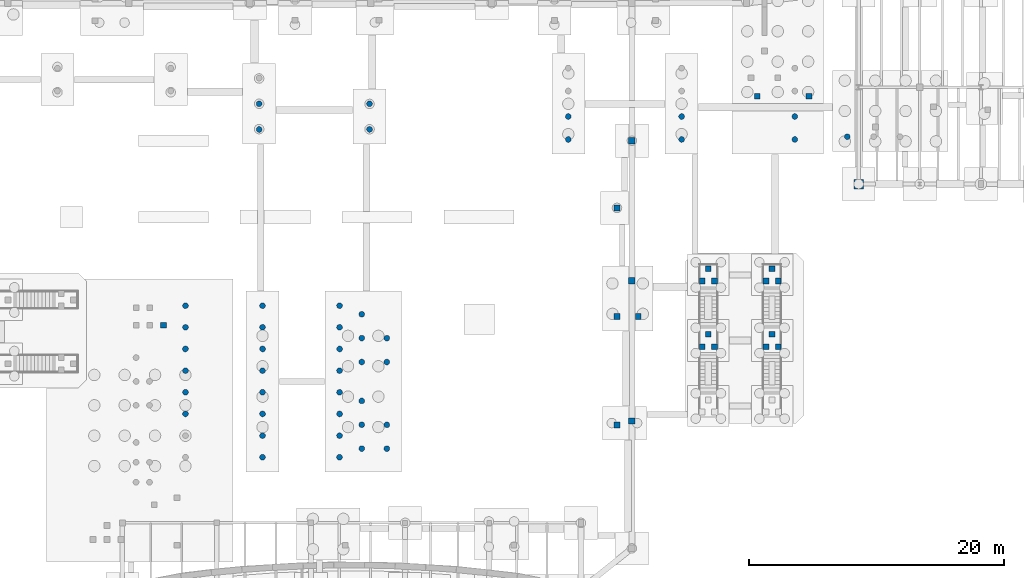
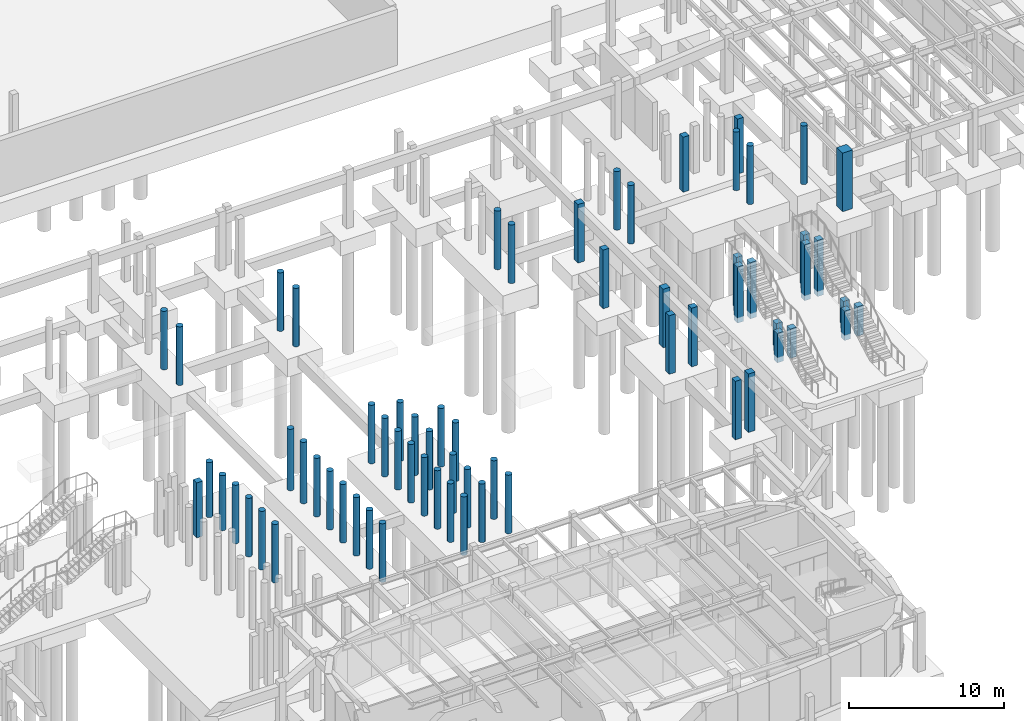
# One storey, part 10 of 45: 66 columns.
"""IFC4 building model written with IfcOpenShell, lengths in metres."""

from ifc_helpers import new_model, si_unit, direction, frame, origin, origin_2d, place, context, subcontext, project, spatial, rectangle, circle, extrude, material, material_profile, profile_set, type_object, element, save


model = new_model("IFC4")

# Units and contexts
model_context = context("Model", 3, precision=1e-05, world=origin(), true_north=direction((0.0, 1.0)))
body_context = subcontext(model_context, "Body", "Model", "MODEL_VIEW")
ifc_project = project(units=[si_unit("LENGTHUNIT", "METRE"), si_unit("AREAUNIT", "SQUARE_METRE"), si_unit("VOLUMEUNIT", "CUBIC_METRE"), si_unit("PLANEANGLEUNIT", "RADIAN"), si_unit("MASSUNIT", "GRAM", prefix="KILO")], contexts=[model_context])

# Site, building, storey
site_placement = place(None, origin())
site = spatial("IfcSite", under=ifc_project, at=site_placement, CompositionType="ELEMENT")
building_placement = place(site_placement, origin())
building = spatial("IfcBuilding", under=site, at=building_placement, Name="Corveleigh Park Community Centre", CompositionType="ELEMENT")
storey_placement = place(building_placement, frame((0.0, 0.0, -4.199951171875)))
storey = spatial("IfcBuildingStorey", under=building, at=storey_placement, Name="B1", CompositionType="ELEMENT", Elevation=-4.199951171875)

# Columns
ifc_material = material(Name="Concrete C40/50", Category="concrete")
ifc_material_profile_1 = material_profile(ifc_material, rectangle(XDim=0.449951171875, YDim=0.449951171875, at=origin_2d()), Name="RC-450x450", Category="concrete")
ifc_profile_set_1 = profile_set([ifc_material_profile_1], Name="Concrete C40/50")
column_type_1 = type_object("IfcColumnType", Name="COL-RC-450x450", PredefinedType="COLUMN", material=ifc_profile_set_1)
for number, where, z_axis, x_axis, name in (
    (1, (118.47998046875, 45.830078125, -0.4150390625), (0.0, 0.0, 1.0), (1.0, 0.0, 0.0), "Promenade ST11 landing pier 40"),
    (2, (117.52001953125, 45.830078125, -0.4150390625), (0.0, 0.0, 1.0), (1.0, 0.0, 0.0), "Promenade ST11 landing pier 41"),
    (3, (118.0, 46.81005859375, -0.4150390625), (0.0, 0.0, 1.0), (1.0, 0.0, 0.0), "Promenade ST11 landing pier 42"),
):
    element("IfcColumn", number, at=place(storey_placement, frame(where, z_axis=z_axis, x_axis=x_axis)), inside=storey, type_object=column_type_1, Name=name, PredefinedType="COLUMN", context=body_context, shape_type="SweptSolid", body=[
        extrude(rectangle(XDim=0.449951171875, YDim=0.449951171875, at=origin_2d()), origin(), (0.0, 0.0, 1.0), 2.319091796875),
    ])
for number, where, z_axis, x_axis, name in (
    (4, (118.47998046875, 50.989990234375, -0.4150390625), (0.0, 0.0, 1.0), (1.0, 0.0, 0.0), "Promenade ST11 landing pier 43"),
    (5, (117.52001953125, 50.989990234375, -0.4150390625), (0.0, 0.0, 1.0), (1.0, 0.0, 0.0), "Promenade ST11 landing pier 44"),
    (6, (118.0, 51.93994140625, -0.4150390625), (0.0, 0.0, 1.0), (1.0, 0.0, 0.0), "Promenade ST11 landing pier 45"),
):
    element("IfcColumn", number, at=place(storey_placement, frame(where, z_axis=z_axis, x_axis=x_axis)), inside=storey, type_object=column_type_1, Name=name, PredefinedType="COLUMN", context=body_context, shape_type="SweptSolid", body=[
        extrude(rectangle(XDim=0.449951171875, YDim=0.449951171875, at=origin_2d()), origin(), (0.0, 0.0, 1.0), 4.4189453125),
    ])
for number, where, z_axis, x_axis, name in (
    (7, (123.47998046875, 45.830078125, -0.4150390625), (0.0, 0.0, 1.0), (1.0, 0.0, 0.0), "Promenade ST12 landing pier 49"),
    (8, (122.52001953125, 45.830078125, -0.4150390625), (0.0, 0.0, 1.0), (1.0, 0.0, 0.0), "Promenade ST12 landing pier 50"),
    (9, (123.0, 46.81005859375, -0.4150390625), (0.0, 0.0, 1.0), (1.0, 0.0, 0.0), "Promenade ST12 landing pier 51"),
):
    element("IfcColumn", number, at=place(storey_placement, frame(where, z_axis=z_axis, x_axis=x_axis)), inside=storey, type_object=column_type_1, Name=name, PredefinedType="COLUMN", context=body_context, shape_type="SweptSolid", body=[
        extrude(rectangle(XDim=0.449951171875, YDim=0.449951171875, at=origin_2d()), origin(), (0.0, 0.0, 1.0), 2.319091796875),
    ])
for number, where, z_axis, x_axis, name in (
    (10, (123.47998046875, 50.989990234375, -0.4150390625), (0.0, 0.0, 1.0), (1.0, 0.0, 0.0), "Promenade ST12 landing pier 52"),
    (11, (122.52001953125, 50.989990234375, -0.4150390625), (0.0, 0.0, 1.0), (1.0, 0.0, 0.0), "Promenade ST12 landing pier 53"),
    (12, (123.0, 51.93994140625, -0.4150390625), (0.0, 0.0, 1.0), (1.0, 0.0, 0.0), "Promenade ST12 landing pier 54"),
):
    element("IfcColumn", number, at=place(storey_placement, frame(where, z_axis=z_axis, x_axis=x_axis)), inside=storey, type_object=column_type_1, Name=name, PredefinedType="COLUMN", context=body_context, shape_type="SweptSolid", body=[
        extrude(rectangle(XDim=0.449951171875, YDim=0.449951171875, at=origin_2d()), origin(), (0.0, 0.0, 1.0), 4.4189453125),
    ])
for number, where, z_axis, x_axis, name in (
    (13, (75.220947265625, 47.513916015625, -0.4150390625), (0.0, 0.0, 1.0), (1.0, 0.0, 0.0), "External deck support pier 165 B1"),
    (14, (121.8359375, 65.493896484375, -0.4150390625), (0.0, 0.0, 1.0), (1.0, 0.0, 0.0), "External deck support pier 171 B1"),
    (15, (125.89599609375, 65.493896484375, -0.4150390625), (0.0, 0.0, 1.0), (1.0, 0.0, 0.0), "External deck support pier 174 B1"),
):
    element("IfcColumn", number, at=place(storey_placement, frame(where, z_axis=z_axis, x_axis=x_axis)), inside=storey, type_object=column_type_1, Name=name, PredefinedType="COLUMN", context=body_context, shape_type="SweptSolid", body=[
        extrude(rectangle(XDim=0.449951171875, YDim=0.449951171875, at=origin_2d()), origin(), (0.0, 0.0, 1.0), 4.3330078125),
    ])
for number, where, z_axis, x_axis, name in (
    (16, (110.827880859375, 39.674072265625, -0.4150390625), (0.0, 0.0, 1.0), (1.0, 0.0, 0.0), "External deck support pier 234 B1"),
    (17, (110.827880859375, 48.199951171875, -0.4150390625), (0.0, 0.0, 1.0), (1.0, 0.0, 0.0), "External deck support pier 235 B1"),
    (18, (110.827880859375, 56.72607421875, -0.4150390625), (0.0, 0.0, 1.0), (1.0, 0.0, 0.0), "External deck support pier 236 B1"),
    (19, (112.5, 48.199951171875, -0.4150390625), (0.0, 0.0, 1.0), (1.0, 0.0, 0.0), "External deck support pier 237 B1"),
):
    element("IfcColumn", number, at=place(storey_placement, frame(where, z_axis=z_axis, x_axis=x_axis)), inside=storey, type_object=column_type_1, Name=name, PredefinedType="COLUMN", context=body_context, shape_type="SweptSolid", body=[
        extrude(rectangle(XDim=0.449951171875, YDim=0.449951171875, at=origin_2d()), origin(), (0.0, 0.0, 1.0), 4.614990234375),
    ])
ifc_material_profile_2 = material_profile(ifc_material, rectangle(XDim=0.5, YDim=0.5, at=origin_2d()), Name="RC-500x500", Category="concrete")
ifc_profile_set_2 = profile_set([ifc_material_profile_2], Name="Concrete C40/50")
column_type_2 = type_object("IfcColumnType", Name="COL-RC-500x500", PredefinedType="COLUMN", material=ifc_profile_set_2)
for number, where, z_axis, x_axis, name in (
    (20, (112.0, 62.0, -0.4150390625), (0.0, 0.0, 1.0), (1.0, 0.0, 0.0), "Column V5-E1 B1"),
    (21, (112.0, 51.0, -0.4150390625), (0.0, 0.0, 1.0), (1.0, 0.0, 0.0), "Column V5-E2 B1"),
    (22, (112.0, 40.0, -0.4150390625), (0.0, 0.0, 1.0), (1.0, 0.0, 0.0), "Column V5-E3 B1"),
):
    element("IfcColumn", number, at=place(storey_placement, frame(where, z_axis=z_axis, x_axis=x_axis)), inside=storey, type_object=column_type_2, Name=name, PredefinedType="COLUMN", context=body_context, shape_type="SweptSolid", body=[
        extrude(rectangle(XDim=0.5, YDim=0.5, at=origin_2d()), origin(), (0.0, 0.0, 1.0), 4.614990234375),
    ])
ifc_material_profile_3 = material_profile(ifc_material, rectangle(XDim=0.75, YDim=0.75, at=origin_2d()), Name="RC-750x750", Category="concrete")
ifc_profile_set_3 = profile_set([ifc_material_profile_3], Name="Concrete C40/50")
column_type_3 = type_object("IfcColumnType", Name="COL-RC-750x750", PredefinedType="COLUMN", material=ifc_profile_set_3)
column_placement = place(storey_placement, frame((129.800048828125, 58.60009765625, -0.4150390625), z_axis=(0.0, 0.0, 1.0), x_axis=(1.0, 0.0, 0.0)))
element("IfcColumn", 23, at=column_placement, inside=storey, type_object=column_type_3, Name="Column V4-X0Y0 B1", PredefinedType="COLUMN", context=body_context, shape_type="SweptSolid", body=[
    extrude(rectangle(XDim=0.75, YDim=0.75, at=origin_2d()), origin(), (0.0, 0.0, 1.0), 4.614990234375),
])
ifc_material_profile_4 = material_profile(ifc_material, circle(Radius=0.22509765625, at=origin_2d()), Name="RC-450D", Category="concrete")
ifc_profile_set_4 = profile_set([ifc_material_profile_4], Name="Concrete C40/50")
column_type_4 = type_object("IfcColumnType", Name="COL-RCE-450D", PredefinedType="COLUMN", material=ifc_profile_set_4)
for number, where, z_axis, x_axis, name in (
    (24, (76.951904296875, 47.35009765625, -0.4150390625), (0.0, 0.0, 1.0), (1.0, 0.0, 0.0), "External deck support pier 72 B1"),
    (25, (76.951904296875, 49.050048828125, -0.4150390625), (0.0, 0.0, 1.0), (1.0, 0.0, 0.0), "External deck support pier 73 B1"),
):
    element("IfcColumn", number, at=place(storey_placement, frame(where, z_axis=z_axis, x_axis=x_axis)), inside=storey, type_object=column_type_4, Name=name, PredefinedType="COLUMN", context=body_context, shape_type="SweptSolid", body=[
        extrude(circle(Radius=0.22509765625, at=origin_2d()), origin(), (0.0, 0.0, 1.0), 4.3349609375),
    ])
for number, where, z_axis, x_axis, name in (
    (26, (83.0, 47.35009765625, -0.4150390625), (0.0, 0.0, 1.0), (1.0, 0.0, 0.0), "External deck support pier 74 B1"),
    (27, (83.0, 49.050048828125, -0.4150390625), (0.0, 0.0, 1.0), (1.0, 0.0, 0.0), "External deck support pier 75 B1"),
):
    element("IfcColumn", number, at=place(storey_placement, frame(where, z_axis=z_axis, x_axis=x_axis)), inside=storey, type_object=column_type_4, Name=name, PredefinedType="COLUMN", context=body_context, shape_type="SweptSolid", body=[
        extrude(circle(Radius=0.22509765625, at=origin_2d()), origin(), (0.0, 0.0, 1.0), 4.839111328125),
    ])
for number, where, z_axis, x_axis, name in (
    (28, (89.048095703125, 47.35009765625, -0.4150390625), (0.0, 0.0, 1.0), (1.0, 0.0, 0.0), "External deck support pier 76 B1"),
    (29, (89.048095703125, 49.050048828125, -0.4150390625), (0.0, 0.0, 1.0), (1.0, 0.0, 0.0), "External deck support pier 77 B1"),
    (30, (89.048095703125, 43.949951171875, -0.4150390625), (0.0, 0.0, 1.0), (1.0, 0.0, 0.0), "External deck support pier 78 B1"),
    (31, (89.048095703125, 45.64990234375, -0.4150390625), (0.0, 0.0, 1.0), (1.0, 0.0, 0.0), "External deck support pier 79 B1"),
    (32, (83.0, 43.949951171875, -0.4150390625), (0.0, 0.0, 1.0), (1.0, 0.0, 0.0), "External deck support pier 80 B1"),
    (33, (83.0, 45.64990234375, -0.4150390625), (0.0, 0.0, 1.0), (1.0, 0.0, 0.0), "External deck support pier 81 B1"),
    (34, (76.951904296875, 43.949951171875, -0.4150390625), (0.0, 0.0, 1.0), (1.0, 0.0, 0.0), "External deck support pier 82 B1"),
    (35, (76.951904296875, 45.64990234375, -0.4150390625), (0.0, 0.0, 1.0), (1.0, 0.0, 0.0), "External deck support pier 83 B1"),
    (36, (76.951904296875, 40.550048828125, -0.4150390625), (0.0, 0.0, 1.0), (1.0, 0.0, 0.0), "External deck support pier 84 B1"),
    (37, (76.951904296875, 42.25, -0.4150390625), (0.0, 0.0, 1.0), (1.0, 0.0, 0.0), "External deck support pier 85 B1"),
    (38, (83.0, 40.550048828125, -0.4150390625), (0.0, 0.0, 1.0), (1.0, 0.0, 0.0), "External deck support pier 86 B1"),
    (39, (83.0, 42.25, -0.4150390625), (0.0, 0.0, 1.0), (1.0, 0.0, 0.0), "External deck support pier 87 B1"),
    (40, (89.048095703125, 40.550048828125, -0.4150390625), (0.0, 0.0, 1.0), (1.0, 0.0, 0.0), "External deck support pier 88 B1"),
    (41, (89.048095703125, 42.25, -0.4150390625), (0.0, 0.0, 1.0), (1.0, 0.0, 0.0), "External deck support pier 89 B1"),
    (42, (89.048095703125, 37.14990234375, -0.4150390625), (0.0, 0.0, 1.0), (1.0, 0.0, 0.0), "External deck support pier 90 B1"),
    (43, (89.048095703125, 38.85009765625, -0.4150390625), (0.0, 0.0, 1.0), (1.0, 0.0, 0.0), "External deck support pier 91 B1"),
    (44, (83.0, 37.14990234375, -0.4150390625), (0.0, 0.0, 1.0), (1.0, 0.0, 0.0), "External deck support pier 92 B1"),
    (45, (83.0, 38.85009765625, -0.4150390625), (0.0, 0.0, 1.0), (1.0, 0.0, 0.0), "External deck support pier 93 B1"),
    (46, (107.008056640625, 62.10009765625, -0.4150390625), (0.0, 0.0, 1.0), (1.0, 0.0, 0.0), "External deck support pier 108 B1"),
    (47, (107.008056640625, 63.89990234375, -0.4150390625), (0.0, 0.0, 1.0), (1.0, 0.0, 0.0), "External deck support pier 109 B1"),
    (48, (115.89990234375, 62.10009765625, -0.4150390625), (0.0, 0.0, 1.0), (1.0, 0.0, 0.0), "External deck support pier 110 B1"),
    (49, (115.89990234375, 63.89990234375, -0.4150390625), (0.0, 0.0, 1.0), (1.0, 0.0, 0.0), "External deck support pier 111 B1"),
    (50, (124.7919921875, 62.10009765625, -0.4150390625), (0.0, 0.0, 1.0), (1.0, 0.0, 0.0), "External deck support pier 112 B1"),
    (51, (124.7919921875, 63.89990234375, -0.4150390625), (0.0, 0.0, 1.0), (1.0, 0.0, 0.0), "External deck support pier 113 B1"),
    (52, (90.791015625, 44.6240234375, -0.4150390625), (0.0, 0.0, 1.0), (1.0, 0.0, 0.0), "External deck support pier 185 B1"),
    (53, (90.791015625, 46.5, -0.4150390625), (0.0, 0.0, 1.0), (1.0, 0.0, 0.0), "External deck support pier 186 B1"),
    (54, (90.791015625, 48.3759765625, -0.4150390625), (0.0, 0.0, 1.0), (1.0, 0.0, 0.0), "External deck support pier 187 B1"),
    (55, (92.758056640625, 44.6240234375, -0.4150390625), (0.0, 0.0, 1.0), (1.0, 0.0, 0.0), "External deck support pier 188 B1"),
    (56, (92.758056640625, 46.5, -0.4150390625), (0.0, 0.0, 1.0), (1.0, 0.0, 0.0), "External deck support pier 189 B1"),
    (57, (90.791015625, 37.823974609375, -0.4150390625), (0.0, 0.0, 1.0), (1.0, 0.0, 0.0), "External deck support pier 195 B1"),
    (58, (90.791015625, 39.699951171875, -0.4150390625), (0.0, 0.0, 1.0), (1.0, 0.0, 0.0), "External deck support pier 196 B1"),
    (59, (90.791015625, 41.575927734375, -0.4150390625), (0.0, 0.0, 1.0), (1.0, 0.0, 0.0), "External deck support pier 197 B1"),
    (60, (92.758056640625, 37.823974609375, -0.4150390625), (0.0, 0.0, 1.0), (1.0, 0.0, 0.0), "External deck support pier 198 B1"),
    (61, (92.758056640625, 39.699951171875, -0.4150390625), (0.0, 0.0, 1.0), (1.0, 0.0, 0.0), "External deck support pier 199 B1"),
    (62, (82.73388671875, 62.884033203125, -0.4150390625), (0.0, 0.0, 1.0), (1.0, 0.0, 0.0), "External deck support pier 242 B1"),
    (63, (82.73388671875, 64.89990234375, -0.4150390625), (0.0, 0.0, 1.0), (1.0, 0.0, 0.0), "External deck support pier 243 B1"),
    (64, (91.39990234375, 62.884033203125, -0.4150390625), (0.0, 0.0, 1.0), (1.0, 0.0, 0.0), "External deck support pier 245 B1"),
    (65, (91.39990234375, 64.89990234375, -0.4150390625), (0.0, 0.0, 1.0), (1.0, 0.0, 0.0), "External deck support pier 246 B1"),
    (66, (128.907958984375, 62.31396484375, -0.4150390625), (0.0, 0.0, 1.0), (1.0, 0.0, 0.0), "External deck support pier 252 B1"),
):
    element("IfcColumn", number, at=place(storey_placement, frame(where, z_axis=z_axis, x_axis=x_axis)), inside=storey, type_object=column_type_4, Name=name, PredefinedType="COLUMN", context=body_context, shape_type="SweptSolid", body=[
        extrude(circle(Radius=0.22509765625, at=origin_2d()), origin(), (0.0, 0.0, 1.0), 4.614990234375),
    ])

save(model, "model.ifc")
